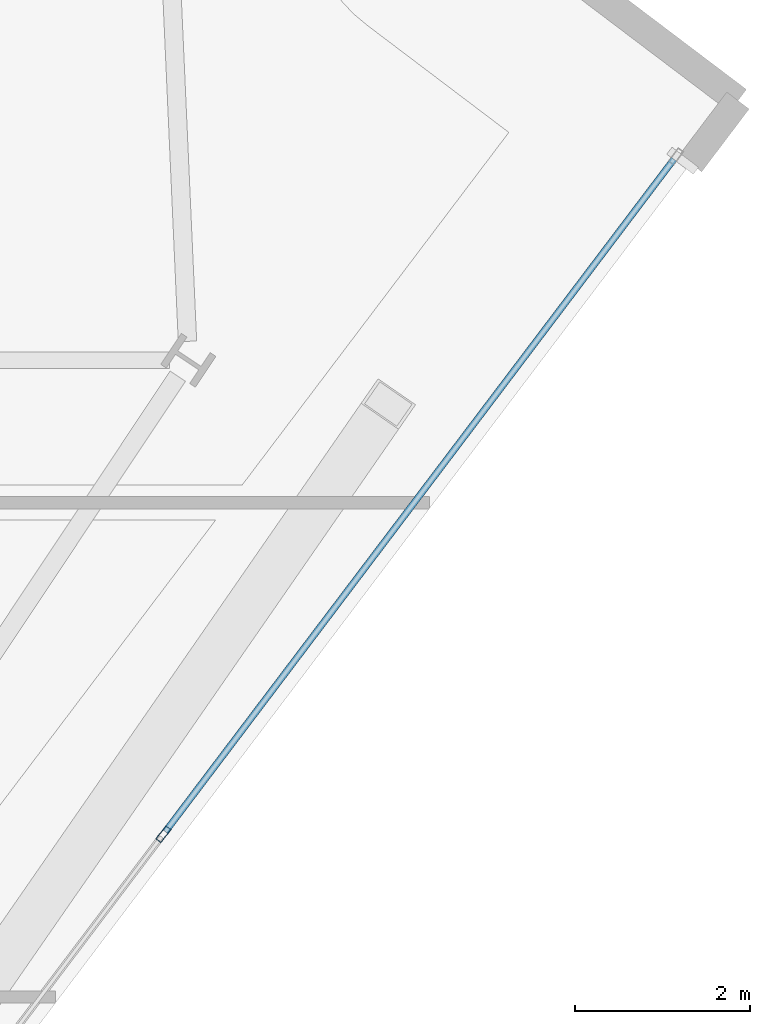
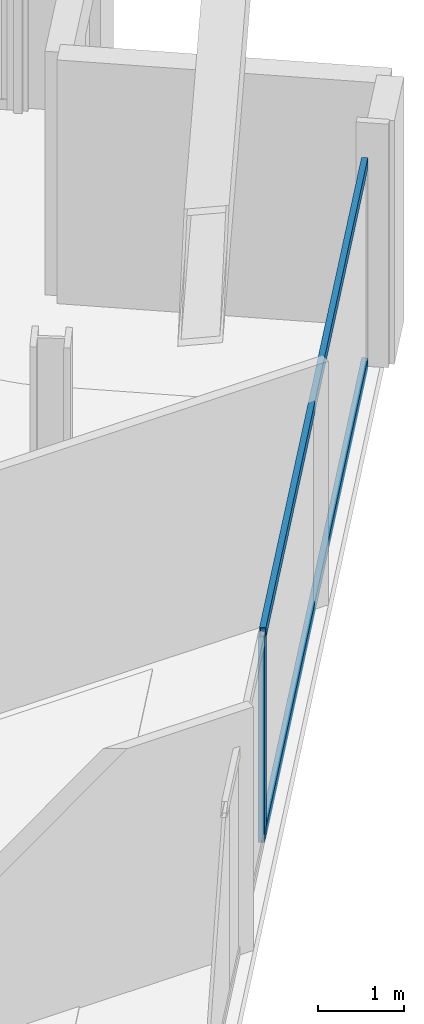
# One storey, part 15 of 34: 3 members, 1 element without a shape of its own.
"""IFC4 building model written with IfcOpenShell, lengths in metres."""

import ifcopenshell
import ifcopenshell.guid

model = None  # the IFC model being written
_history = None  # IfcOwnerHistory: only IFC2X3 demands one
_inside = {}  # id of a spatial element -> (the spatial element, [elements in it])
_under = {}  # id of a project, library or spatial element -> (it, [spatial elements below it])
_declared = {}  # id of a project -> (the project, [libraries it declares])
_typed = {}  # id of a type object -> (the type object, [elements of that type])
_made_of = {}  # id of a material, layer set ... -> (it, [elements and type objects made of it])


def new_model(schema):
    """Start an empty IFC model of exactly this schema.

    Asked for "IFC4X3", IfcOpenShell would pick the latest addendum, in which some entities
    have other attributes; the version numbers below select the first issue.
    IFC2X3 requires an IfcOwnerHistory on every rooted entity: one is made here for all.
    """
    global model, _history
    if schema == "IFC4X3":
        model = ifcopenshell.file(schema_version=(4, 3, 0, 0))
    else:
        model = ifcopenshell.file(schema=schema)
    _inside.clear()
    _under.clear()
    _declared.clear()
    _typed.clear()
    _made_of.clear()
    _history = None
    if model.schema == "IFC2X3":
        org = make("IfcOrganization", Name="unknown")
        user = make(
            "IfcPersonAndOrganization",
            ThePerson=make("IfcPerson", FamilyName="unknown"),
            TheOrganization=org,
        )
        app = make(
            "IfcApplication",
            ApplicationDeveloper=org,
            Version="unknown",
            ApplicationFullName="unknown",
            ApplicationIdentifier="unknown",
        )
        _history = make(
            "IfcOwnerHistory",
            OwningUser=user,
            OwningApplication=app,
            ChangeAction="ADDED",
            CreationDate=0,
        )
    return model


def make(cls, **values):
    """One entity of the class cls with the attributes given. An attribute that is None is left unset."""
    return model.create_entity(
        cls, **{name: value for name, value in values.items() if value is not None}
    )


def rooted(cls, **values):
    """An entity with a GlobalId (a new one), such as an element, a storey or a relation."""
    return make(cls, GlobalId=ifcopenshell.guid.new(), OwnerHistory=_history, **values)


def si_unit(unit_type, name, prefix=None):
    """IfcSIUnit, for example si_unit("LENGTHUNIT", "METRE", prefix="MILLI")."""
    return make("IfcSIUnit", UnitType=unit_type, Prefix=prefix, Name=name)


def assignment(units):
    """IfcUnitAssignment: the units of a project."""
    return None if units is None else make("IfcUnitAssignment", Units=units)


def point(xyz):
    """IfcCartesianPoint."""
    return None if xyz is None else make("IfcCartesianPoint", Coordinates=xyz)


def direction(xyz):
    """IfcDirection."""
    return None if xyz is None else make("IfcDirection", DirectionRatios=xyz)


def frame(location, z_axis=None, x_axis=None):
    """IfcAxis2Placement3D, a coordinate frame: its origin and axes. An axis left out is left unset."""
    return make(
        "IfcAxis2Placement3D",
        Location=point(location),
        Axis=direction(z_axis),
        RefDirection=direction(x_axis),
    )


def frame_2d(location, x_axis=None):
    """IfcAxis2Placement2D, a coordinate frame in the plane: its origin and x axis."""
    return make(
        "IfcAxis2Placement2D", Location=point(location), RefDirection=direction(x_axis)
    )


def origin():
    """The frame at (0, 0, 0) with its axes left unset."""
    return frame((0.0, 0.0, 0.0))


def origin_2d():
    """The frame at (0, 0) in the plane with its x axis left unset."""
    return frame_2d((0.0, 0.0))


def place(relative_to, where):
    """IfcLocalPlacement: puts the frame where relative to a parent placement (None: the world)."""
    return make(
        "IfcLocalPlacement", PlacementRelTo=relative_to, RelativePlacement=where
    )


def context(
    kind, dimensions, precision=None, world=None, true_north=None, identifier=None
):
    """IfcGeometricRepresentationContext, for example the 3D "Model" context."""
    return make(
        "IfcGeometricRepresentationContext",
        ContextIdentifier=identifier,
        ContextType=kind,
        CoordinateSpaceDimension=dimensions,
        Precision=precision,
        WorldCoordinateSystem=world,
        TrueNorth=true_north,
    )


def subcontext(parent, identifier, kind, view, scale=None):
    """IfcGeometricRepresentationSubContext, for example "Body" below "Model"."""
    return make(
        "IfcGeometricRepresentationSubContext",
        ContextIdentifier=identifier,
        ContextType=kind,
        ParentContext=parent,
        TargetScale=scale,
        TargetView=view,
    )


def project(units=None, contexts=None):
    """IfcProject with its units and contexts."""
    return rooted(
        "IfcProject",
        Name="project",
        RepresentationContexts=contexts,
        UnitsInContext=assignment(units),
    )


def spatial(cls, under=None, at=None, **own):
    """A site, building, storey or space (cls), placed at a placement, below another one or the project."""
    s = rooted(cls, ObjectPlacement=at, **own)
    if under is not None:
        _under.setdefault(under.id(), (under, []))[1].append(s)
    return s


def profile(cls, at=None, kind="AREA", **sizes):
    """A parametric profile (cls). Its sizes go by their IFC names, for example OverallWidth=200.0."""
    return make(cls, ProfileType=kind, Position=at, **sizes)


def hollow_rectangle(**sizes):
    """IfcRectangleHollowProfileDef."""
    return profile("IfcRectangleHollowProfileDef", **sizes)


def extrude(swept, where, along, depth):
    """IfcExtrudedAreaSolid: the profile swept, set in the frame where, extruded along a direction by depth."""
    return make(
        "IfcExtrudedAreaSolid",
        SweptArea=swept,
        Position=where,
        ExtrudedDirection=direction(along),
        Depth=depth,
    )


def shape(context_of_items, identifier, shape_type, items):
    """IfcShapeRepresentation: the items that make up one representation, for example the "Body"."""
    return make(
        "IfcShapeRepresentation",
        ContextOfItems=context_of_items,
        RepresentationIdentifier=identifier,
        RepresentationType=shape_type,
        Items=items,
    )


def material(Name=None, Category=None):
    """IfcMaterial."""
    return make("IfcMaterial", Name=Name, Category=Category)


def material_profile(
    of_material, cross_section, Name=None, Category=None, Priority=None
):
    """IfcMaterialProfile: a cross section and its material."""
    return make(
        "IfcMaterialProfile",
        Name=Name,
        Material=of_material,
        Profile=cross_section,
        Priority=Priority,
        Category=Category,
    )


def profile_set(profiles, Name=None, composite=None):
    """IfcMaterialProfileSet."""
    return make(
        "IfcMaterialProfileSet",
        Name=Name,
        MaterialProfiles=profiles,
        CompositeProfile=composite,
    )


def made_of(thing, what):
    """Note that an element or type object is made of a material, layer set ...; save() writes the relation."""
    if what is not None:
        _made_of.setdefault(what.id(), (what, []))[1].append(thing)
    return thing


def type_object(cls, material=None, **own):
    """A type object (cls), such as IfcWallType, which elements share."""
    return made_of(rooted(cls, **own), material)


def element(
    cls,
    number,
    at=None,
    inside=None,
    cuts=None,
    type_object=None,
    material=None,
    context=None,
    identifier="Body",
    shape_type=None,
    held_by="IfcProductDefinitionShape",
    body=None,
    shapes=None,
    **own,
):
    """One element of the class cls, such as IfcWall. Its Tag is "e" and its number.

    at: its placement. inside: the storey or other place that contains it. cuts: it is an
    opening in that element (IfcRelVoidsElement). A single representation is given by context,
    identifier, shape_type and body (its items); several are given by shapes. held_by: the class
    of the entity that holds the representations. save() writes the other relations.
    """
    e = rooted(cls, Tag="e%d" % number, ObjectPlacement=at, **own)
    if body is not None:
        shapes = [shape(context, identifier, shape_type, body)]
    if shapes is not None:
        e.Representation = make(held_by, Representations=shapes)
    if inside is not None:
        _inside.setdefault(inside.id(), (inside, []))[1].append(e)
    if cuts is not None:
        rooted(
            "IfcRelVoidsElement", RelatingBuildingElement=cuts, RelatedOpeningElement=e
        )
    if type_object is not None:
        _typed.setdefault(type_object.id(), (type_object, []))[1].append(e)
    return made_of(e, material)


def aggregate(whole, parts):
    """IfcRelAggregates: a whole, such as a stair, and the parts it consists of."""
    return rooted("IfcRelAggregates", RelatingObject=whole, RelatedObjects=parts)


def save(model, path):
    """Write the relations noted so far, then the file.

    IfcRelAggregates (storeys below a building ...), IfcRelContainedInSpatialStructure (elements
    in a storey), IfcRelDefinesByType, IfcRelAssociatesMaterial and IfcRelDeclares: one each for
    every whole, place, type object, material and project.
    """
    for whole, parts in _under.values():
        aggregate(whole, parts)
    for where, things in _inside.values():
        rooted(
            "IfcRelContainedInSpatialStructure",
            RelatedElements=things,
            RelatingStructure=where,
        )
    for kind, things in _typed.values():
        rooted("IfcRelDefinesByType", RelatedObjects=things, RelatingType=kind)
    for what, things in _made_of.values():
        rooted("IfcRelAssociatesMaterial", RelatedObjects=things, RelatingMaterial=what)
    for by, libraries in _declared.values():
        rooted("IfcRelDeclares", RelatingContext=by, RelatedDefinitions=libraries)
    model.write(path)


model = new_model("IFC4")

# Units and contexts
model_context = context("Model", 3, precision=1e-05, world=origin(), true_north=direction((0.0, 1.0)))
body_context = subcontext(model_context, "Body", "Model", "MODEL_VIEW")
ifc_project = project(units=[si_unit("LENGTHUNIT", "METRE"), si_unit("AREAUNIT", "SQUARE_METRE"), si_unit("VOLUMEUNIT", "CUBIC_METRE"), si_unit("PLANEANGLEUNIT", "RADIAN"), si_unit("MASSUNIT", "GRAM", prefix="KILO")], contexts=[model_context])

# Site, building, storey
site_placement = place(None, origin())
site = spatial("IfcSite", under=ifc_project, at=site_placement, CompositionType="ELEMENT")
building_placement = place(site_placement, origin())
building = spatial("IfcBuilding", under=site, at=building_placement, Name="Haldenkirk Collegiate Tower", CompositionType="ELEMENT")
storey_placement = place(building_placement, frame((0.0, 0.0, 205.949951171875)))
storey = spatial("IfcBuildingStorey", under=building, at=storey_placement, Name="L51", CompositionType="ELEMENT", Elevation=205.949951171875)

# Curtain wall, members
ifc_material = material(Name="Anodised architectural bronze aluminium", Category="aluminium")
curtain_wall_type = type_object("IfcCurtainWallType", Name="CW-SYS2-CONCAVE", PredefinedType="USERDEFINED", material=ifc_material)
curtain_wall_placement = place(storey_placement, origin())
curtain_wall = element("IfcCurtainWall", 1, at=curtain_wall_placement, inside=storey, type_object=curtain_wall_type, Name="L51 South concave recessed bronze-anodised curtain wall", ObjectType="UNITISED CURTAIN WALL", PredefinedType="USERDEFINED")
ifc_material_profile_1 = material_profile(ifc_material, hollow_rectangle(XDim=0.074951171875, YDim=0.18994140625, WallThickness=0.0048828125, at=origin_2d()), Name="CW-MUL-02")
ifc_profile_set_1 = profile_set([ifc_material_profile_1], Name="Anodised architectural bronze aluminium")
member_type_1 = type_object("IfcMemberType", Name="CW-MUL-02", PredefinedType="MULLION", material=ifc_profile_set_1)
member_1_placement = place(storey_placement, frame((60.48095703125, 19.709716796875, 0.0), z_axis=(0.0, 0.0, 1.0), x_axis=(0.797584320771, -0.6032074695, 0.0)))
member_1 = element("IfcMember", 2, at=member_1_placement, type_object=member_type_1, Name="CW-02 mullion 2", PredefinedType="MULLION", context=body_context, shape_type="SweptSolid", body=[
    extrude(hollow_rectangle(XDim=0.074951171875, YDim=0.18994140625, WallThickness=0.0048828125, at=origin_2d()), origin(), (0.0, 0.0, 1.0), 2.927978515625),
])
ifc_material_profile_2 = material_profile(ifc_material, hollow_rectangle(XDim=0.074951171875, YDim=0.159912109375, WallThickness=0.0048828125, at=origin_2d()), Name="CW-TRN-02")
ifc_profile_set_2 = profile_set([ifc_material_profile_2], Name="Anodised architectural bronze aluminium")
member_type_2 = type_object("IfcMemberType", Name="CW-TRN-02", PredefinedType="USERDEFINED", material=ifc_profile_set_2)
member_2_placement = place(storey_placement, frame((66.31689453125, 27.42626953125, 0.03759765625), z_axis=(-0.603193186293, -0.79759512286, 0.0), x_axis=(0.79759512286, -0.603193186293, 0.0)))
member_2 = element("IfcMember", 3, at=member_2_placement, type_object=member_type_2, Name="CW-02 transom 1.1", ObjectType="TRANSOM", PredefinedType="USERDEFINED", context=body_context, shape_type="SweptSolid", body=[
    extrude(hollow_rectangle(XDim=0.074951171875, YDim=0.159912109375, WallThickness=0.0048828125, at=origin_2d()), origin(), (0.0, 0.0, 1.0), 9.637451171875),
])
member_3_placement = place(storey_placement, frame((66.31689453125, 27.42626953125, 2.890625), z_axis=(-0.603193186293, -0.79759512286, 0.0), x_axis=(0.79759512286, -0.603193186293, 0.0)))
member_3 = element("IfcMember", 4, at=member_3_placement, type_object=member_type_2, Name="CW-02 transom 1.2", ObjectType="TRANSOM", PredefinedType="USERDEFINED", context=body_context, shape_type="SweptSolid", body=[
    extrude(hollow_rectangle(XDim=0.074951171875, YDim=0.159912109375, WallThickness=0.0048828125, at=origin_2d()), origin(), (0.0, 0.0, 1.0), 9.637451171875),
])
aggregate(curtain_wall, [member_1, member_2, member_3])

save(model, "model.ifc")
